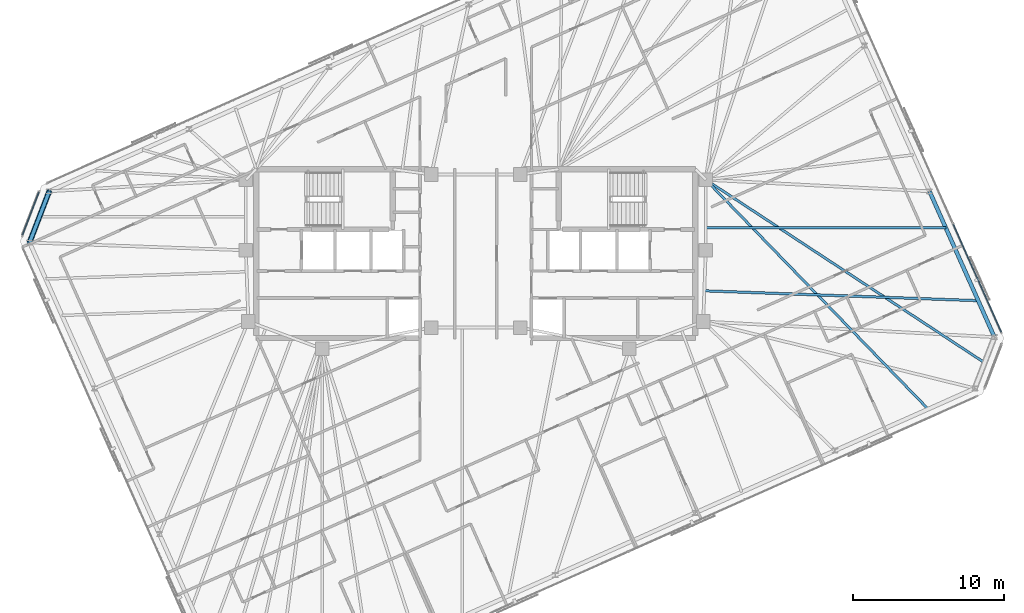
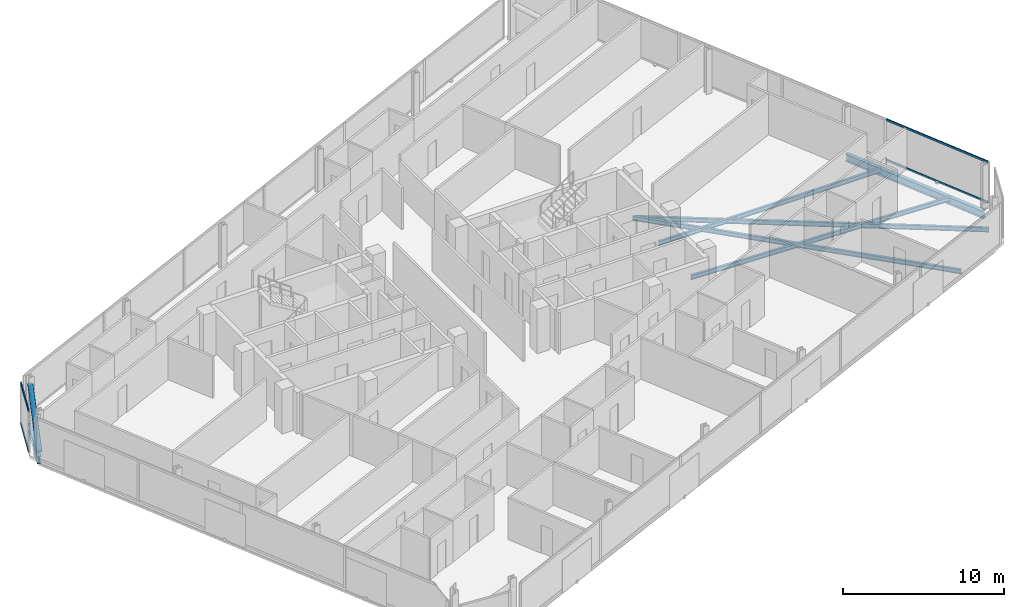
# One storey, part 8 of 19: 6 beams, 5 members, 2 elements without a shape of their own.
"""IFC4 building model written with IfcOpenShell, lengths in metres."""

from ifc_helpers import new_model, si_unit, direction, frame, origin, origin_2d, place, context, subcontext, project, spatial, rectangle, hollow_circle, i_section, extrude, material, material_profile, profile_set, type_object, element, aggregate, save


model = new_model("IFC4")

# Units and contexts
model_context = context("Model", 3, precision=1e-05, world=origin(), true_north=direction((0.0, 1.0)))
body_context = subcontext(model_context, "Body", "Model", "MODEL_VIEW")
ifc_project = project(units=[si_unit("LENGTHUNIT", "METRE"), si_unit("AREAUNIT", "SQUARE_METRE"), si_unit("VOLUMEUNIT", "CUBIC_METRE"), si_unit("PLANEANGLEUNIT", "RADIAN"), si_unit("MASSUNIT", "GRAM", prefix="KILO")], contexts=[model_context])

# Site, building, storey
site_placement = place(None, origin())
site = spatial("IfcSite", under=ifc_project, at=site_placement, CompositionType="ELEMENT")
building_placement = place(site_placement, origin())
building = spatial("IfcBuilding", under=site, at=building_placement, Name="Menara Jurai Vektor", CompositionType="ELEMENT")
storey_placement = place(building_placement, frame((0.0, 0.0, 268.89990234375)))
storey = spatial("IfcBuildingStorey", under=building, at=storey_placement, Name="L72", CompositionType="ELEMENT", Elevation=268.89990234375)

# Curtain wall, members
ifc_material_1 = material(Name="Anodised Pale Aluminium & Low-E Double Glazing", Category="aluminium")
curtain_wall_type = type_object("IfcCurtainWallType", Name="CW-BLK5", PredefinedType="NOTDEFINED", material=ifc_material_1)
curtain_wall_1_placement = place(storey_placement, origin())
curtain_wall_1 = element("IfcCurtainWall", 1, at=curtain_wall_1_placement, inside=storey, type_object=curtain_wall_type, Name="Unitised Curtain Wall L72 F03", PredefinedType="NOTDEFINED")
ifc_material_2 = material(Name="Anodised Pale Aluminium Transom", Category="aluminium")
ifc_material_profile_1 = material_profile(ifc_material_2, rectangle(XDim=0.074951171875, YDim=0.155029296875, at=origin_2d()), Name="ALU TRN 75x155")
ifc_profile_set_1 = profile_set([ifc_material_profile_1], Name="Anodised Pale Aluminium Transom")
member_type_1 = type_object("IfcMemberType", Name="CW-BLK5-TRN", PredefinedType="USERDEFINED", material=ifc_profile_set_1)
member_1_placement = place(storey_placement, frame((34.840087890625, -5.19189453125, 0.03759765625), z_axis=(-0.406739711224, 0.913544091609, 0.0), x_axis=(-0.913544091609, -0.406739711224, 0.0)))
member_1 = element("IfcMember", 2, at=member_1_placement, type_object=member_type_1, Name="CW-05 transom 1.1", ObjectType="TRANSOM", PredefinedType="USERDEFINED", context=body_context, shape_type="SweptSolid", body=[
    extrude(rectangle(XDim=0.074951171875, YDim=0.155029296875, at=origin_2d()), origin(), (0.0, 0.0, 1.0), 7.797607421875),
])
member_2_placement = place(storey_placement, frame((34.840087890625, -5.19189453125, 3.087646484375), z_axis=(-0.406739711224, 0.913544091609, 0.0), x_axis=(-0.913544091609, -0.406739711224, 0.0)))
member_2 = element("IfcMember", 3, at=member_2_placement, type_object=member_type_1, Name="CW-05 transom 1.2", ObjectType="TRANSOM", PredefinedType="USERDEFINED", context=body_context, shape_type="SweptSolid", body=[
    extrude(rectangle(XDim=0.074951171875, YDim=0.155029296875, at=origin_2d()), origin(), (0.0, 0.0, 1.0), 7.797607421875),
])
aggregate(curtain_wall_1, [member_1, member_2])

curtain_wall_2_placement = place(storey_placement, origin())
curtain_wall_2 = element("IfcCurtainWall", 4, at=curtain_wall_2_placement, inside=storey, type_object=curtain_wall_type, Name="Unitised Curtain Wall L72 F06", PredefinedType="NOTDEFINED")
member_3_placement = place(storey_placement, frame((-28.96923828125, 4.079345703125, 0.03759765625), z_axis=(-0.358324523823, -0.933597094911, 0.0), x_axis=(0.933597094911, -0.358324523823, 0.0)))
member_3 = element("IfcMember", 5, at=member_3_placement, type_object=member_type_1, Name="CW-05 transom 1.1", ObjectType="TRANSOM", PredefinedType="USERDEFINED", context=body_context, shape_type="SweptSolid", body=[
    extrude(rectangle(XDim=0.074951171875, YDim=0.155029296875, at=origin_2d()), origin(), (0.0, 0.0, 1.0), 3.049560546875),
])
member_4_placement = place(storey_placement, frame((-28.96923828125, 4.079345703125, 3.087646484375), z_axis=(-0.358324523823, -0.933597094911, 0.0), x_axis=(0.933597094911, -0.358324523823, 0.0)))
member_4 = element("IfcMember", 6, at=member_4_placement, type_object=member_type_1, Name="CW-05 transom 1.2", ObjectType="TRANSOM", PredefinedType="USERDEFINED", context=body_context, shape_type="SweptSolid", body=[
    extrude(rectangle(XDim=0.074951171875, YDim=0.155029296875, at=origin_2d()), origin(), (0.0, 0.0, 1.0), 3.049560546875),
])
aggregate(curtain_wall_2, [member_3, member_4])

# Member
ifc_material_3 = material(Name="Steel S460", Category="steel")
ifc_material_profile_2 = material_profile(ifc_material_3, hollow_circle(Radius=0.177734375, WallThickness=0.01611328125, at=origin_2d()), Name="CHS 355.6x16")
ifc_profile_set_2 = profile_set([ifc_material_profile_2], Name="Steel S460")
member_type_2 = type_object("IfcMemberType", Name="STR-BR-356", PredefinedType="BRACE", material=ifc_profile_set_2)
member_5_placement = place(storey_placement, frame((-29.591796875, 0.73681640625, 0.150146484375), z_axis=(0.2906257681, 0.757042028889, 0.585170085882), x_axis=(-0.933570293083, 0.358394346877, 0.0)))
element("IfcMember", 7, at=member_5_placement, inside=storey, type_object=member_type_2, Name="Exoskeleton Corner Brace L72-3", PredefinedType="BRACE", context=body_context, shape_type="SweptSolid", body=[
    extrude(hollow_circle(Radius=0.177734375, WallThickness=0.01611328125, at=origin_2d()), origin(), (0.0, 0.0, 1.0), 4.48583984375),
])

# Beams
ifc_material_4 = material(Name="Steel S355", Category="steel")
ifc_material_profile_3 = material_profile(ifc_material_4, i_section(OverallWidth=0.1650390625, OverallDepth=0.330078125, WebThickness=0.009033203125, FlangeThickness=0.013916015625, at=origin_2d()), Name="PG 330x165x46")
ifc_profile_set_3 = profile_set([ifc_material_profile_3], Name="Steel S355")
beam_type_1 = type_object("IfcBeamType", Name="STR-JS-330", PredefinedType="JOIST", material=ifc_profile_set_3)
beam_1_placement = place(storey_placement, frame((29.996826171875, -10.30908203125, -0.389892578125), z_axis=(-0.696114697983, 0.717930586653, 0.0), x_axis=(-0.717930586653, -0.696114697983, 0.0)))
element("IfcBeam", 8, at=beam_1_placement, inside=storey, type_object=beam_type_1, Name="Radial Secondary Floor Joist L72-JS06", PredefinedType="JOIST", context=body_context, shape_type="SweptSolid", body=[
    extrude(i_section(OverallWidth=0.1650390625, OverallDepth=0.330078125, WebThickness=0.009033203125, FlangeThickness=0.013916015625, at=origin_2d()), origin(), (0.0, 0.0, 1.0), 21.1845703125),
])
beam_2_placement = place(storey_placement, frame((33.739990234375, -7.23486328125, -0.389892578125), z_axis=(-0.836033194478, 0.54867886576, 0.0), x_axis=(-0.54867886576, -0.836033194478, 0.0)))
element("IfcBeam", 9, at=beam_2_placement, inside=storey, type_object=beam_type_1, Name="Radial Secondary Floor Joist L72-JS07", PredefinedType="JOIST", context=body_context, shape_type="SweptSolid", body=[
    extrude(i_section(OverallWidth=0.1650390625, OverallDepth=0.330078125, WebThickness=0.009033203125, FlangeThickness=0.013916015625, at=origin_2d()), origin(), (0.0, 0.0, 1.0), 22.116455078125),
])
beam_3_placement = place(storey_placement, frame((33.315185546875, -3.119384765625, -0.389892578125), z_axis=(-0.999351699571, 0.036002507761, 0.0), x_axis=(-0.036002507761, -0.999351699571, 0.0)))
element("IfcBeam", 10, at=beam_3_placement, inside=storey, type_object=beam_type_1, Name="Radial Secondary Floor Joist L72-JS08", PredefinedType="JOIST", context=body_context, shape_type="SweptSolid", body=[
    extrude(i_section(OverallWidth=0.1650390625, OverallDepth=0.330078125, WebThickness=0.009033203125, FlangeThickness=0.013916015625, at=origin_2d()), origin(), (0.0, 0.0, 1.0), 18.173583984375),
])
beam_4_placement = place(storey_placement, frame((31.16259765625, 1.7158203125, -0.389892578125), z_axis=(-1.0, 0.0, 0.0), x_axis=(0.0, -1.0, 0.0)))
element("IfcBeam", 11, at=beam_4_placement, inside=storey, type_object=beam_type_1, Name="Radial Secondary Floor Joist L72-JS09", PredefinedType="JOIST", context=body_context, shape_type="SweptSolid", body=[
    extrude(i_section(OverallWidth=0.1650390625, OverallDepth=0.330078125, WebThickness=0.009033203125, FlangeThickness=0.013916015625, at=origin_2d()), origin(), (0.0, 0.0, 1.0), 15.91259765625),
])
ifc_material_profile_4 = material_profile(ifc_material_4, i_section(OverallWidth=0.260009765625, OverallDepth=0.570068359375, WebThickness=0.013916015625, FlangeThickness=0.02392578125, at=origin_2d()), Name="PG 570x260x145")
ifc_profile_set_4 = profile_set([ifc_material_profile_4], Name="Steel S355")
beam_type_2 = type_object("IfcBeamType", Name="STR-SP-570", PredefinedType="SPANDREL", material=ifc_profile_set_4)
beam_5_placement = place(storey_placement, frame((34.3916015625, -5.536865234375, -0.510009765625), z_axis=(-0.40673543049, 0.91354599752, 0.0), x_axis=(-0.91354599752, -0.40673543049, 0.0)))
element("IfcBeam", 12, at=beam_5_placement, inside=storey, type_object=beam_type_2, Name="Exoskeleton Spandrel Beam L72-07", PredefinedType="SPANDREL", context=body_context, shape_type="SweptSolid", body=[
    extrude(i_section(OverallWidth=0.260009765625, OverallDepth=0.570068359375, WebThickness=0.013916015625, FlangeThickness=0.02392578125, at=origin_2d()), origin(), (0.0, 0.0, 1.0), 10.585205078125),
])
beam_6_placement = place(storey_placement, frame((-28.2880859375, 4.1328125, -0.510009765625), z_axis=(-0.358394346877, -0.933570293083, 0.0), x_axis=(0.933570293083, -0.358394346877, 0.0)))
element("IfcBeam", 13, at=beam_6_placement, inside=storey, type_object=beam_type_2, Name="Exoskeleton Spandrel Beam L72-16", PredefinedType="SPANDREL", context=body_context, shape_type="SweptSolid", body=[
    extrude(i_section(OverallWidth=0.260009765625, OverallDepth=0.570068359375, WebThickness=0.013916015625, FlangeThickness=0.02392578125, at=origin_2d()), origin(), (0.0, 0.0, 1.0), 3.6376953125),
])

save(model, "model.ifc")
